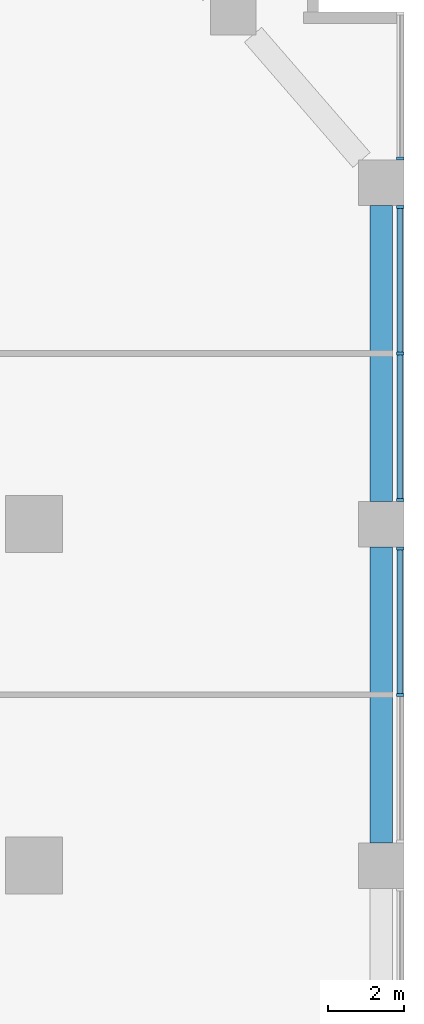
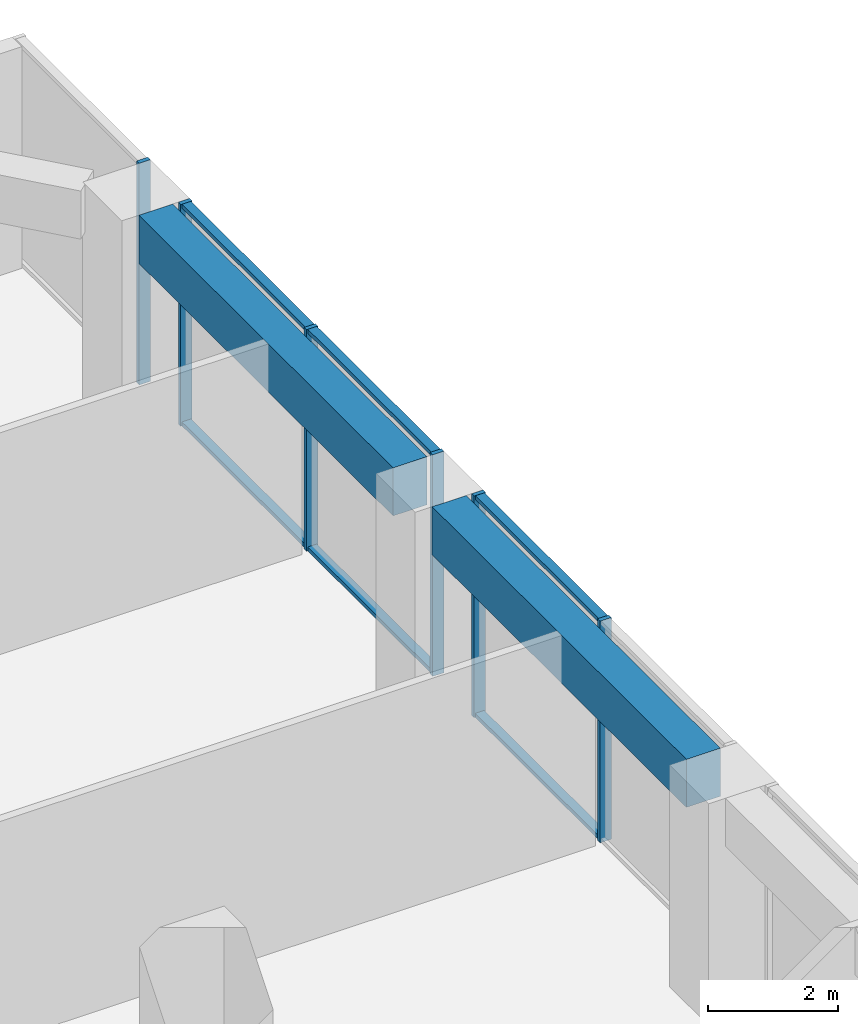
# One storey, part 7 of 18: 12 members, 2 beams, 3 elements without a shape of their own.
"""IFC4 building model written with IfcOpenShell, lengths in metres."""

from ifc_helpers import new_model, si_unit, direction, frame, origin, origin_2d, place, context, subcontext, project, spatial, rectangle, extrude, material, material_profile, profile_set, type_object, element, aggregate, save


model = new_model("IFC4")

# Units and contexts
model_context = context("Model", 3, precision=1e-05, world=origin(), true_north=direction((0.0, 1.0)))
body_context = subcontext(model_context, "Body", "Model", "MODEL_VIEW")
ifc_project = project(units=[si_unit("LENGTHUNIT", "METRE"), si_unit("AREAUNIT", "SQUARE_METRE"), si_unit("VOLUMEUNIT", "CUBIC_METRE"), si_unit("PLANEANGLEUNIT", "RADIAN"), si_unit("MASSUNIT", "GRAM", prefix="KILO")], contexts=[model_context])

# Site, building, storey
site_placement = place(None, origin())
site = spatial("IfcSite", under=ifc_project, at=site_placement, CompositionType="ELEMENT")
building_placement = place(site_placement, origin())
building = spatial("IfcBuilding", under=site, at=building_placement, Name="Orbiselva Terraces", CompositionType="ELEMENT")
storey_placement = place(building_placement, frame((0.0, 0.0, 6.0)))
storey = spatial("IfcBuildingStorey", under=building, at=storey_placement, Name="L01", CompositionType="ELEMENT", Elevation=6.0)

# Curtain wall, members
ifc_material_1 = material(Name="Clear low-e glazing in aluminium frame", Category="aluminium")
curtain_wall_type = type_object("IfcCurtainWallType", Name="ENV-CW-LOBBY", PredefinedType="NOTDEFINED", material=ifc_material_1)
curtain_wall_1_placement = place(storey_placement, origin())
curtain_wall_1 = element("IfcCurtainWall", 1, at=curtain_wall_1_placement, inside=storey, type_object=curtain_wall_type, Name="Curtain wall L01 E", PredefinedType="NOTDEFINED")
ifc_material_2 = material(Name="Anodised aluminium", Category="aluminium")
ifc_material_profile_1 = material_profile(ifc_material_2, rectangle(XDim=0.2, YDim=0.075, at=origin_2d()), Name="AL 75x200")
ifc_profile_set_1 = profile_set([ifc_material_profile_1], Name="Anodised aluminium")
member_type_1 = type_object("IfcMemberType", Name="ENV-CW-LOBBY-MULLION-75x200", PredefinedType="MULLION", material=ifc_profile_set_1)
member_1_placement = place(storey_placement, frame((35.9, 9.0, 0.0), z_axis=(0.0, 0.0, 1.0), x_axis=(-1.0, 0.0, 0.0)))
member_1 = element("IfcMember", 2, at=member_1_placement, type_object=member_type_1, Name="CW1 mullion 2", PredefinedType="MULLION", context=body_context, shape_type="SweptSolid", body=[
    extrude(rectangle(XDim=0.2, YDim=0.075, at=origin_2d()), origin(), (0.0, 0.0, 1.0), 4.15),
])
member_2_placement = place(storey_placement, frame((35.9, 12.8625, 0.0), z_axis=(0.0, 0.0, 1.0), x_axis=(-1.0, 0.0, 0.0)))
member_2 = element("IfcMember", 3, at=member_2_placement, type_object=member_type_1, Name="CW1 mullion 3", PredefinedType="MULLION", context=body_context, shape_type="SweptSolid", body=[
    extrude(rectangle(XDim=0.2, YDim=0.075, at=origin_2d()), origin(), (0.0, 0.0, 1.0), 4.15),
])

curtain_wall_2_placement = place(storey_placement, origin())
curtain_wall_2 = element("IfcCurtainWall", 4, at=curtain_wall_2_placement, inside=storey, type_object=curtain_wall_type, Name="Curtain wall L01 E", PredefinedType="NOTDEFINED")
member_3_placement = place(storey_placement, frame((35.9, 14.1375, 0.0), z_axis=(0.0, 0.0, 1.0), x_axis=(-1.0, 0.0, 0.0)))
member_3 = element("IfcMember", 5, at=member_3_placement, type_object=member_type_1, Name="CW1 mullion 1", PredefinedType="MULLION", context=body_context, shape_type="SweptSolid", body=[
    extrude(rectangle(XDim=0.2, YDim=0.075, at=origin_2d()), origin(), (0.0, 0.0, 1.0), 4.15),
])
member_4_placement = place(storey_placement, frame((35.9, 18.0, 0.0), z_axis=(0.0, 0.0, 1.0), x_axis=(-1.0, 0.0, 0.0)))
member_4 = element("IfcMember", 6, at=member_4_placement, type_object=member_type_1, Name="CW1 mullion 2", PredefinedType="MULLION", context=body_context, shape_type="SweptSolid", body=[
    extrude(rectangle(XDim=0.2, YDim=0.075, at=origin_2d()), origin(), (0.0, 0.0, 1.0), 4.15),
])
member_5_placement = place(storey_placement, frame((35.9, 21.8625, 0.0), z_axis=(0.0, 0.0, 1.0), x_axis=(-1.0, 0.0, 0.0)))
member_5 = element("IfcMember", 7, at=member_5_placement, type_object=member_type_1, Name="CW1 mullion 3", PredefinedType="MULLION", context=body_context, shape_type="SweptSolid", body=[
    extrude(rectangle(XDim=0.2, YDim=0.075, at=origin_2d()), origin(), (0.0, 0.0, 1.0), 4.15),
])

# Curtain wall, member
curtain_wall_3_placement = place(storey_placement, origin())
curtain_wall_3 = element("IfcCurtainWall", 8, at=curtain_wall_3_placement, inside=storey, type_object=curtain_wall_type, Name="Curtain wall L01 E", PredefinedType="NOTDEFINED")
member_6_placement = place(storey_placement, frame((35.9, 23.1375, 0.0), z_axis=(0.0, 0.0, 1.0), x_axis=(-1.0, 0.0, 0.0)))
member_6 = element("IfcMember", 9, at=member_6_placement, type_object=member_type_1, Name="CW1 mullion 1", PredefinedType="MULLION", context=body_context, shape_type="SweptSolid", body=[
    extrude(rectangle(XDim=0.2, YDim=0.075, at=origin_2d()), origin(), (0.0, 0.0, 1.0), 4.15),
])
aggregate(curtain_wall_3, [member_6])

# Member
ifc_material_profile_2 = material_profile(ifc_material_2, rectangle(XDim=0.16, YDim=0.075, at=origin_2d()), Name="AL 75x160")
ifc_profile_set_2 = profile_set([ifc_material_profile_2], Name="Anodised aluminium")
member_type_2 = type_object("IfcMemberType", Name="ENV-CW-LOBBY-TRANSOM-75x160", PredefinedType="USERDEFINED", material=ifc_profile_set_2)
member_7_placement = place(storey_placement, frame((35.9, 9.0375, 0.0375), z_axis=(0.0, 1.0, 0.0), x_axis=(-1.0, 0.0, 0.0)))
member_7 = element("IfcMember", 10, at=member_7_placement, type_object=member_type_2, Name="CW1 transom 2.1", ObjectType="TRANSOM", PredefinedType="USERDEFINED", context=body_context, shape_type="SweptSolid", body=[
    extrude(rectangle(XDim=0.16, YDim=0.075, at=origin_2d()), origin(), (0.0, 0.0, 1.0), 3.7875),
])

member_8_placement = place(storey_placement, frame((35.9, 9.0375, 4.1125), z_axis=(0.0, 1.0, 0.0), x_axis=(-1.0, 0.0, 0.0)))
member_8 = element("IfcMember", 11, at=member_8_placement, type_object=member_type_2, Name="CW1 transom 2.2", ObjectType="TRANSOM", PredefinedType="USERDEFINED", context=body_context, shape_type="SweptSolid", body=[
    extrude(rectangle(XDim=0.16, YDim=0.075, at=origin_2d()), origin(), (0.0, 0.0, 1.0), 3.7875),
])

aggregate(curtain_wall_1, [member_1, member_2, member_7, member_8])

member_9_placement = place(storey_placement, frame((35.9, 14.175, 0.0375), z_axis=(0.0, 1.0, 0.0), x_axis=(-1.0, 0.0, 0.0)))
member_9 = element("IfcMember", 12, at=member_9_placement, type_object=member_type_2, Name="CW1 transom 1.1", ObjectType="TRANSOM", PredefinedType="USERDEFINED", context=body_context, shape_type="SweptSolid", body=[
    extrude(rectangle(XDim=0.16, YDim=0.075, at=origin_2d()), origin(), (0.0, 0.0, 1.0), 3.7875),
])

member_10_placement = place(storey_placement, frame((35.9, 14.175, 4.1125), z_axis=(0.0, 1.0, 0.0), x_axis=(-1.0, 0.0, 0.0)))
member_10 = element("IfcMember", 13, at=member_10_placement, type_object=member_type_2, Name="CW1 transom 1.2", ObjectType="TRANSOM", PredefinedType="USERDEFINED", context=body_context, shape_type="SweptSolid", body=[
    extrude(rectangle(XDim=0.16, YDim=0.075, at=origin_2d()), origin(), (0.0, 0.0, 1.0), 3.7875),
])

member_11_placement = place(storey_placement, frame((35.9, 18.0375, 0.0375), z_axis=(0.0, 1.0, 0.0), x_axis=(-1.0, 0.0, 0.0)))
member_11 = element("IfcMember", 14, at=member_11_placement, type_object=member_type_2, Name="CW1 transom 2.1", ObjectType="TRANSOM", PredefinedType="USERDEFINED", context=body_context, shape_type="SweptSolid", body=[
    extrude(rectangle(XDim=0.16, YDim=0.075, at=origin_2d()), origin(), (0.0, 0.0, 1.0), 3.7875),
])

member_12_placement = place(storey_placement, frame((35.9, 18.0375, 4.1125), z_axis=(0.0, 1.0, 0.0), x_axis=(-1.0, 0.0, 0.0)))
member_12 = element("IfcMember", 15, at=member_12_placement, type_object=member_type_2, Name="CW1 transom 2.2", ObjectType="TRANSOM", PredefinedType="USERDEFINED", context=body_context, shape_type="SweptSolid", body=[
    extrude(rectangle(XDim=0.16, YDim=0.075, at=origin_2d()), origin(), (0.0, 0.0, 1.0), 3.7875),
])

aggregate(curtain_wall_2, [member_3, member_4, member_5, member_9, member_10, member_11, member_12])

# Beams
ifc_material_3 = material(Name="Concrete C60/75", Category="concrete")
ifc_material_profile_3 = material_profile(ifc_material_3, rectangle(XDim=0.6, YDim=0.9, at=origin_2d()), Name="RC 600x900")
ifc_profile_set_3 = profile_set([ifc_material_profile_3], Name="Concrete C60/75")
beam_type = type_object("IfcBeamType", Name="PODIUM GIRDER RC 600x900", PredefinedType="BEAM", material=ifc_profile_set_3)
for number, where, z_axis, x_axis, name in (
    (16, (35.4, 5.1, 3.7), (0.0, 1.0, 0.0), (-1.0, 0.0, 0.0), "Podium girder 16"),
    (17, (35.4, 14.1, 3.7), (0.0, 1.0, 0.0), (-1.0, 0.0, 0.0), "Podium girder 17"),
):
    element("IfcBeam", number, at=place(storey_placement, frame(where, z_axis=z_axis, x_axis=x_axis)), inside=storey, type_object=beam_type, Name=name, PredefinedType="BEAM", context=body_context, shape_type="SweptSolid", body=[
        extrude(rectangle(XDim=0.6, YDim=0.9, at=origin_2d()), origin(), (0.0, 0.0, 1.0), 7.8),
    ])

save(model, "model.ifc")
